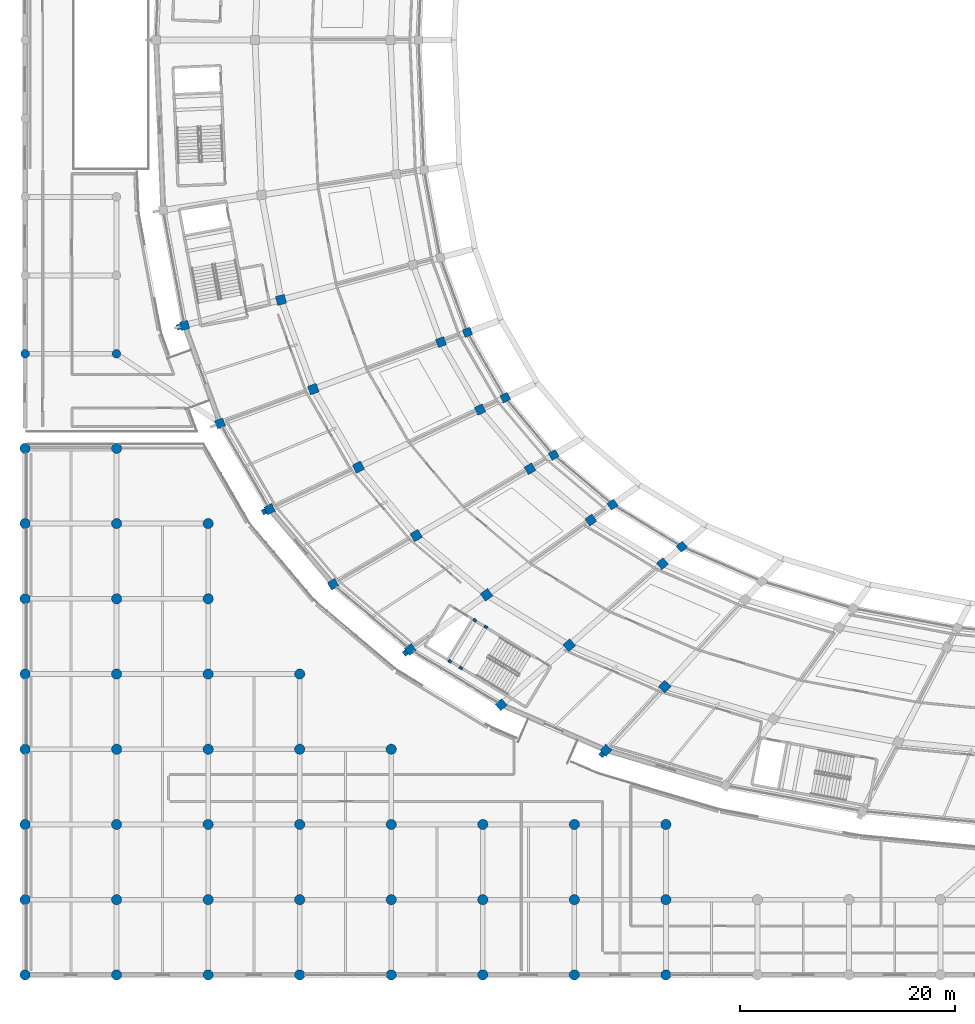
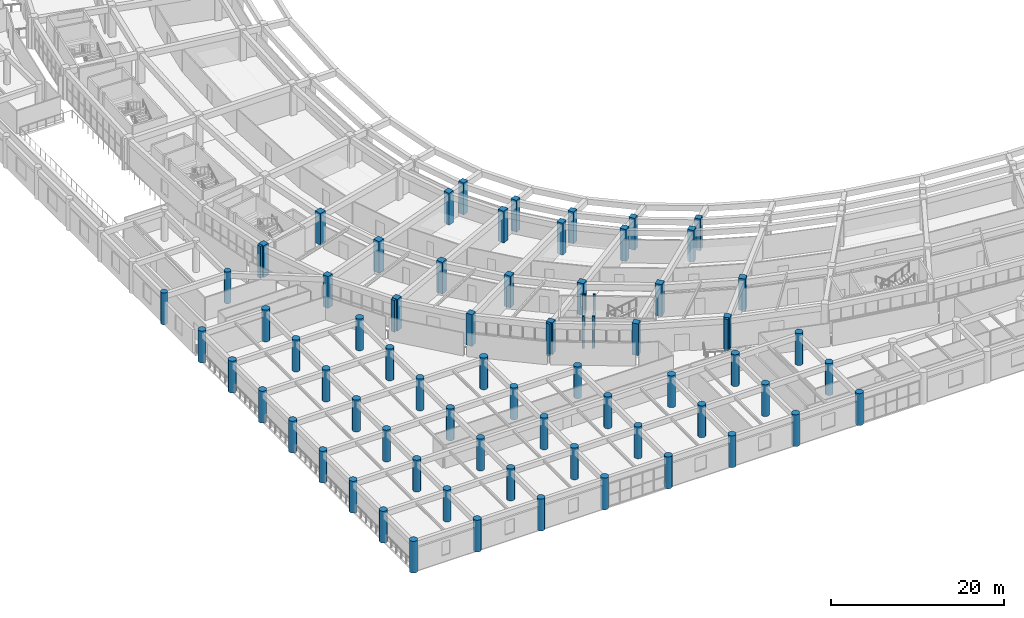
# One storey, part 1 of 145: 75 columns.
"""IFC4 building model written with IfcOpenShell, lengths in metres."""

from ifc_helpers import new_model, si_unit, direction, frame, origin, origin_2d, place, context, subcontext, project, spatial, rectangle, circle, extrude, material, material_profile, profile_set, type_object, element, save


model = new_model("IFC4")

# Units and contexts
model_context = context("Model", 3, precision=1e-05, world=origin(), true_north=direction((0.0, 1.0)))
body_context = subcontext(model_context, "Body", "Model", "MODEL_VIEW")
ifc_project = project(units=[si_unit("LENGTHUNIT", "METRE"), si_unit("AREAUNIT", "SQUARE_METRE"), si_unit("VOLUMEUNIT", "CUBIC_METRE"), si_unit("PLANEANGLEUNIT", "RADIAN"), si_unit("MASSUNIT", "GRAM", prefix="KILO")], contexts=[model_context])

# Site, building, storey
site_placement = place(None, origin())
site = spatial("IfcSite", under=ifc_project, at=site_placement, CompositionType="ELEMENT")
building_placement = place(site_placement, origin())
building = spatial("IfcBuilding", under=site, at=building_placement, Name="Mphavela Belvedere Stadium", CompositionType="ELEMENT")
storey_placement = place(building_placement, frame((0.0, 0.0, 10.199951171875)))
storey = spatial("IfcBuildingStorey", under=building, at=storey_placement, Name="L02", CompositionType="ELEMENT", Elevation=10.199951171875)

# Columns
ifc_material_1 = material(Name="Concrete C40/50", Category="concrete")
ifc_material_profile_1 = material_profile(ifc_material_1, rectangle(XDim=0.300048828125, YDim=0.219970703125, at=origin_2d()), Name="RC 300x220")
ifc_profile_set_1 = profile_set([ifc_material_profile_1], Name="Concrete C40/50")
column_type_1 = type_object("IfcColumnType", Name="COL-CORE-POST-300", PredefinedType="COLUMN", material=ifc_profile_set_1)
for number, where, z_axis, x_axis, name in (
    (1, (42.879150390625, 32.381591796875, 0.0), (0.0, 0.0, 1.0), (-0.854368143929, 0.519668235165, 0.0), "Core C10 stair frame column L02-1"),
    (2, (41.85400390625, 33.005126953125, 0.0), (0.0, 0.0, 1.0), (-0.854368143929, 0.519668235165, 0.0), "Core C10 stair frame column L02-2"),
    (3, (39.531005859375, 29.18603515625, 0.0), (0.0, 0.0, 1.0), (-0.854368143929, 0.519668235165, 0.0), "Core C10 stair frame column L02-3"),
    (4, (40.55615234375, 28.5625, 0.0), (0.0, 0.0, 1.0), (-0.854368143929, 0.519668235165, 0.0), "Core C10 stair frame column L02-4"),
):
    element("IfcColumn", number, at=place(storey_placement, frame(where, z_axis=z_axis, x_axis=x_axis)), inside=storey, type_object=column_type_1, Name=name, PredefinedType="COLUMN", context=body_context, shape_type="SweptSolid", body=[
        extrude(rectangle(XDim=0.300048828125, YDim=0.219970703125, at=origin_2d()), origin(), (0.0, 0.0, 1.0), 4.5),
    ])
ifc_material_2 = material(Name="Concrete C40/50", Category="concrete")
ifc_material_profile_2 = material_profile(ifc_material_2, circle(Radius=0.47509765625, at=origin_2d()), Name="COL D950")
ifc_profile_set_2 = profile_set([ifc_material_profile_2], Name="Concrete C40/50")
column_type_2 = type_object("IfcColumnType", Name="COL-DORIC-950", PredefinedType="COLUMN", material=ifc_profile_set_2)
for number, where, z_axis, x_axis, name in (
    (5, (0.0, 0.0, 0.0), (0.0, 0.0, 1.0), (1.0, 0.0, 0.0), "South Axial Triumphal Peristyle Portico classical column L02 1-1"),
    (6, (0.0, 7.0, 0.0), (0.0, 0.0, 1.0), (1.0, 0.0, 0.0), "South Axial Triumphal Peristyle Portico classical column L02 1-2"),
    (7, (0.0, 14.0, 0.0), (0.0, 0.0, 1.0), (1.0, 0.0, 0.0), "South Axial Triumphal Peristyle Portico classical column L02 1-3"),
    (8, (0.0, 21.0, 0.0), (0.0, 0.0, 1.0), (1.0, 0.0, 0.0), "South Axial Triumphal Peristyle Portico classical column L02 1-4"),
    (9, (0.0, 28.0, 0.0), (0.0, 0.0, 1.0), (1.0, 0.0, 0.0), "South Axial Triumphal Peristyle Portico classical column L02 1-5"),
    (10, (0.0, 35.0, 0.0), (0.0, 0.0, 1.0), (1.0, 0.0, 0.0), "South Axial Triumphal Peristyle Portico classical column L02 1-6"),
    (11, (0.0, 42.0, 0.0), (0.0, 0.0, 1.0), (1.0, 0.0, 0.0), "South Axial Triumphal Peristyle Portico classical column L02 1-7"),
    (12, (0.0, 49.0, 0.0), (0.0, 0.0, 1.0), (1.0, 0.0, 0.0), "South Axial Triumphal Peristyle Portico classical column L02 1-8"),
    (13, (8.51904296875, 0.0, 0.0), (0.0, 0.0, 1.0), (1.0, 0.0, 0.0), "South Axial Triumphal Peristyle Portico classical column L02 2-1"),
    (14, (8.51904296875, 7.0, 0.0), (0.0, 0.0, 1.0), (1.0, 0.0, 0.0), "South Axial Triumphal Peristyle Portico classical column L02 2-2"),
    (15, (8.51904296875, 14.0, 0.0), (0.0, 0.0, 1.0), (1.0, 0.0, 0.0), "South Axial Triumphal Peristyle Portico classical column L02 2-3"),
    (16, (8.51904296875, 21.0, 0.0), (0.0, 0.0, 1.0), (1.0, 0.0, 0.0), "South Axial Triumphal Peristyle Portico classical column L02 2-4"),
    (17, (8.51904296875, 28.0, 0.0), (0.0, 0.0, 1.0), (1.0, 0.0, 0.0), "South Axial Triumphal Peristyle Portico classical column L02 2-5"),
    (18, (8.51904296875, 35.0, 0.0), (0.0, 0.0, 1.0), (1.0, 0.0, 0.0), "South Axial Triumphal Peristyle Portico classical column L02 2-6"),
    (19, (8.51904296875, 42.0, 0.0), (0.0, 0.0, 1.0), (1.0, 0.0, 0.0), "South Axial Triumphal Peristyle Portico classical column L02 2-7"),
    (20, (8.51904296875, 49.0, 0.0), (0.0, 0.0, 1.0), (1.0, 0.0, 0.0), "South Axial Triumphal Peristyle Portico classical column L02 2-8"),
    (21, (17.037109375, 0.0, 0.0), (0.0, 0.0, 1.0), (1.0, 0.0, 0.0), "South Axial Triumphal Peristyle Portico classical column L02 3-1"),
    (22, (17.037109375, 7.0, 0.0), (0.0, 0.0, 1.0), (1.0, 0.0, 0.0), "South Axial Triumphal Peristyle Portico classical column L02 3-2"),
    (23, (17.037109375, 14.0, 0.0), (0.0, 0.0, 1.0), (1.0, 0.0, 0.0), "South Axial Triumphal Peristyle Portico classical column L02 3-3"),
    (24, (17.037109375, 21.0, 0.0), (0.0, 0.0, 1.0), (1.0, 0.0, 0.0), "South Axial Triumphal Peristyle Portico classical column L02 3-4"),
    (25, (17.037109375, 28.0, 0.0), (0.0, 0.0, 1.0), (1.0, 0.0, 0.0), "South Axial Triumphal Peristyle Portico classical column L02 3-5"),
    (26, (17.037109375, 35.0, 0.0), (0.0, 0.0, 1.0), (1.0, 0.0, 0.0), "South Axial Triumphal Peristyle Portico classical column L02 3-6"),
    (27, (17.037109375, 42.0, 0.0), (0.0, 0.0, 1.0), (1.0, 0.0, 0.0), "South Axial Triumphal Peristyle Portico classical column L02 3-7"),
    (28, (25.555908203125, 0.0, 0.0), (0.0, 0.0, 1.0), (1.0, 0.0, 0.0), "South Axial Triumphal Peristyle Portico classical column L02 4-1"),
    (29, (25.555908203125, 7.0, 0.0), (0.0, 0.0, 1.0), (1.0, 0.0, 0.0), "South Axial Triumphal Peristyle Portico classical column L02 4-2"),
    (30, (25.555908203125, 14.0, 0.0), (0.0, 0.0, 1.0), (1.0, 0.0, 0.0), "South Axial Triumphal Peristyle Portico classical column L02 4-3"),
    (31, (25.555908203125, 21.0, 0.0), (0.0, 0.0, 1.0), (1.0, 0.0, 0.0), "South Axial Triumphal Peristyle Portico classical column L02 4-4"),
    (32, (25.555908203125, 28.0, 0.0), (0.0, 0.0, 1.0), (1.0, 0.0, 0.0), "South Axial Triumphal Peristyle Portico classical column L02 4-5"),
    (33, (34.073974609375, 0.0, 0.0), (0.0, 0.0, 1.0), (1.0, 0.0, 0.0), "South Axial Triumphal Peristyle Portico classical column L02 5-1"),
    (34, (34.073974609375, 7.0, 0.0), (0.0, 0.0, 1.0), (1.0, 0.0, 0.0), "South Axial Triumphal Peristyle Portico classical column L02 5-2"),
    (35, (34.073974609375, 14.0, 0.0), (0.0, 0.0, 1.0), (1.0, 0.0, 0.0), "South Axial Triumphal Peristyle Portico classical column L02 5-3"),
    (36, (34.073974609375, 21.0, 0.0), (0.0, 0.0, 1.0), (1.0, 0.0, 0.0), "South Axial Triumphal Peristyle Portico classical column L02 5-4"),
    (37, (42.593017578125, 0.0, 0.0), (0.0, 0.0, 1.0), (1.0, 0.0, 0.0), "South Axial Triumphal Peristyle Portico classical column L02 6-1"),
    (38, (42.593017578125, 7.0, 0.0), (0.0, 0.0, 1.0), (1.0, 0.0, 0.0), "South Axial Triumphal Peristyle Portico classical column L02 6-2"),
    (39, (42.593017578125, 14.0, 0.0), (0.0, 0.0, 1.0), (1.0, 0.0, 0.0), "South Axial Triumphal Peristyle Portico classical column L02 6-3"),
    (40, (51.111083984375, 0.0, 0.0), (0.0, 0.0, 1.0), (1.0, 0.0, 0.0), "South Axial Triumphal Peristyle Portico classical column L02 7-1"),
    (41, (51.111083984375, 7.0, 0.0), (0.0, 0.0, 1.0), (1.0, 0.0, 0.0), "South Axial Triumphal Peristyle Portico classical column L02 7-2"),
    (42, (51.111083984375, 14.0, 0.0), (0.0, 0.0, 1.0), (1.0, 0.0, 0.0), "South Axial Triumphal Peristyle Portico classical column L02 7-3"),
    (43, (59.6298828125, 0.0, 0.0), (0.0, 0.0, 1.0), (1.0, 0.0, 0.0), "South Axial Triumphal Peristyle Portico classical column L02 8-1"),
    (44, (59.6298828125, 7.0, 0.0), (0.0, 0.0, 1.0), (1.0, 0.0, 0.0), "South Axial Triumphal Peristyle Portico classical column L02 8-2"),
    (45, (59.6298828125, 14.0, 0.0), (0.0, 0.0, 1.0), (1.0, 0.0, 0.0), "South Axial Triumphal Peristyle Portico classical column L02 8-3"),
):
    element("IfcColumn", number, at=place(storey_placement, frame(where, z_axis=z_axis, x_axis=x_axis)), inside=storey, type_object=column_type_2, Name=name, PredefinedType="COLUMN", context=body_context, shape_type="SweptSolid", body=[
        extrude(circle(Radius=0.47509765625, at=origin_2d()), origin(), (0.0, 0.0, 1.0), 4.5),
    ])
ifc_material_3 = material(Name="Concrete C40/50", Category="concrete")
ifc_material_profile_3 = material_profile(ifc_material_3, circle(Radius=0.39990234375, at=origin_2d()), Name="COL D800")
ifc_profile_set_3 = profile_set([ifc_material_profile_3], Name="Concrete C40/50")
column_type_3 = type_object("IfcColumnType", Name="COL-PERISTYLE-800", PredefinedType="COLUMN", material=ifc_profile_set_3)
for number, where, z_axis, x_axis, name in (
    (46, (0.0, 57.800048828125, 0.0), (0.0, 0.0, 1.0), (1.0, 0.0, 0.0), "West Planted Eaves Peristyle Colonnade classical column L02 1-2"),
    (47, (8.5, 57.800048828125, 0.0), (0.0, 0.0, 1.0), (1.0, 0.0, 0.0), "West Planted Eaves Peristyle Colonnade classical column L02 2-2"),
):
    element("IfcColumn", number, at=place(storey_placement, frame(where, z_axis=z_axis, x_axis=x_axis)), inside=storey, type_object=column_type_3, Name=name, PredefinedType="COLUMN", context=body_context, shape_type="SweptSolid", body=[
        extrude(circle(Radius=0.39990234375, at=origin_2d()), origin(), (0.0, 0.0, 1.0), 4.5),
    ])
ifc_material_4 = material(Name="Concrete C40/50", Category="concrete")
ifc_material_profile_4 = material_profile(ifc_material_4, rectangle(XDim=0.75, YDim=0.75, at=origin_2d()), Name="RC 750x750")
ifc_profile_set_4 = profile_set([ifc_material_profile_4], Name="Concrete C40/50")
column_type_4 = type_object("IfcColumnType", Name="COL-RC750", PredefinedType="COLUMN", material=ifc_profile_set_4)
for number, where, z_axis, x_axis, name in (
    (48, (41.170166015625, 59.80078125, 0.0), (0.0, 0.0, 1.0), (-0.938372433776, -0.34562577382, 0.0), "Inner concourse column L02 R1-28"),
    (49, (44.68701171875, 53.718505859375, 0.0), (0.0, 0.0, 1.0), (-0.903858661687, -0.4278311813, 0.0), "Inner concourse column L02 R1-29"),
    (50, (49.1875, 48.388671875, 0.0), (0.0, 0.0, 1.0), (-0.862513669207, -0.506033764121, 0.0), "Inner concourse column L02 R1-30"),
    (51, (54.66259765625, 43.7685546875, 0.0), (0.0, 0.0, 1.0), (-0.812897512265, -0.582406760395, 0.0), "Inner concourse column L02 R1-31"),
    (52, (61.11083984375, 39.845703125, 0.0), (0.0, 0.0, 1.0), (-0.752529860433, -0.658558128912, 0.0), "Inner concourse column L02 R1-32"),
):
    element("IfcColumn", number, at=place(storey_placement, frame(where, z_axis=z_axis, x_axis=x_axis)), inside=storey, type_object=column_type_4, Name=name, PredefinedType="COLUMN", context=body_context, shape_type="SweptSolid", body=[
        extrude(rectangle(XDim=0.75, YDim=0.75, at=origin_2d()), origin(), (0.0, 0.0, 1.0), 4.5),
    ])
ifc_material_5 = material(Name="Concrete C40/50", Category="concrete")
ifc_material_profile_5 = material_profile(ifc_material_5, rectangle(XDim=0.800048828125, YDim=0.800048828125, at=origin_2d()), Name="RC 800x800")
ifc_profile_set_5 = profile_set([ifc_material_profile_5], Name="Concrete C40/50")
column_type_5 = type_object("IfcColumnType", Name="COL-RC800", PredefinedType="COLUMN", material=ifc_profile_set_5)
for number, where, z_axis, x_axis, name in (
    (53, (14.83544921875, 60.4375, 0.0), (0.0, 0.0, 1.0), (-0.966600102017, -0.256289373133, 0.0), "Outer colonnade column L02 R4-27"),
    (54, (38.702880859375, 58.891845703125, 0.0), (0.0, 0.0, 1.0), (-0.938372433776, -0.34562577382, 0.0), "Middle concourse column L02 R2-28"),
    (55, (18.143798828125, 51.317626953125, 0.0), (0.0, 0.0, 1.0), (-0.938372433776, -0.34562577382, 0.0), "Outer colonnade column L02 R4-28"),
    (56, (42.33740234375, 52.606201171875, 0.0), (0.0, 0.0, 1.0), (-0.903858661687, -0.4278311813, 0.0), "Middle concourse column L02 R2-29"),
    (57, (22.757568359375, 43.33837890625, 0.0), (0.0, 0.0, 1.0), (-0.903858661687, -0.4278311813, 0.0), "Outer colonnade column L02 R4-29"),
    (58, (46.98828125, 47.098388671875, 0.0), (0.0, 0.0, 1.0), (-0.862513669207, -0.506033764121, 0.0), "Middle concourse column L02 R2-30"),
    (59, (28.66162109375, 36.346435546875, 0.0), (0.0, 0.0, 1.0), (-0.862513669207, -0.506033764121, 0.0), "Outer colonnade column L02 R4-30"),
    (60, (52.646240234375, 42.323974609375, 0.0), (0.0, 0.0, 1.0), (-0.812897512265, -0.582406760395, 0.0), "Middle concourse column L02 R2-31"),
    (61, (35.844482421875, 30.285400390625, 0.0), (0.0, 0.0, 1.0), (-0.812897512265, -0.582406760395, 0.0), "Outer colonnade column L02 R4-31"),
    (62, (59.31005859375, 38.27001953125, 0.0), (0.0, 0.0, 1.0), (-0.752529860433, -0.658558128912, 0.0), "Middle concourse column L02 R2-32"),
    (63, (44.3037109375, 25.13916015625, 0.0), (0.0, 0.0, 1.0), (-0.752529860433, -0.658558128912, 0.0), "Outer colonnade column L02 R4-32"),
    (64, (54.0625, 20.90869140625, 0.0), (0.0, 0.0, 1.0), (-0.677903094969, -0.735151272753, 0.0), "Outer colonnade column L02 R4-33"),
):
    element("IfcColumn", number, at=place(storey_placement, frame(where, z_axis=z_axis, x_axis=x_axis)), inside=storey, type_object=column_type_5, Name=name, PredefinedType="COLUMN", context=body_context, shape_type="SweptSolid", body=[
        extrude(rectangle(XDim=0.800048828125, YDim=0.800048828125, at=origin_2d()), origin(), (0.0, 0.0, 1.0), 4.5),
    ])
ifc_material_6 = material(Name="Concrete C40/50", Category="concrete")
ifc_material_profile_6 = material_profile(ifc_material_6, rectangle(XDim=0.85009765625, YDim=0.85009765625, at=origin_2d()), Name="RC 850x850")
ifc_profile_set_6 = profile_set([ifc_material_profile_6], Name="Concrete C40/50")
column_type_6 = type_object("IfcColumnType", Name="COL-RC850", PredefinedType="COLUMN", material=ifc_profile_set_6)
for number, where, z_axis, x_axis, name in (
    (65, (23.8125, 62.818115234375, 0.0), (0.0, 0.0, 1.0), (-0.966600102017, -0.256289373133, 0.0), "Main bowl column L02 R3-27"),
    (66, (26.824462890625, 54.515625, 0.0), (0.0, 0.0, 1.0), (-0.938372433776, -0.34562577382, 0.0), "Main bowl column L02 R3-28"),
    (67, (31.0244140625, 47.251708984375, 0.0), (0.0, 0.0, 1.0), (-0.903858661687, -0.4278311813, 0.0), "Main bowl column L02 R3-29"),
    (68, (36.399658203125, 40.88623046875, 0.0), (0.0, 0.0, 1.0), (-0.862513669207, -0.506033764121, 0.0), "Main bowl column L02 R3-30"),
    (69, (42.938720703125, 35.368408203125, 0.0), (0.0, 0.0, 1.0), (-0.812897512265, -0.582406760395, 0.0), "Main bowl column L02 R3-31"),
    (70, (50.639892578125, 30.68310546875, 0.0), (0.0, 0.0, 1.0), (-0.752529860433, -0.658558128912, 0.0), "Main bowl column L02 R3-32"),
    (71, (59.523681640625, 26.83203125, 0.0), (0.0, 0.0, 1.0), (-0.677903094969, -0.735151272753, 0.0), "Main bowl column L02 R3-33"),
):
    element("IfcColumn", number, at=place(storey_placement, frame(where, z_axis=z_axis, x_axis=x_axis)), inside=storey, type_object=column_type_6, Name=name, PredefinedType="COLUMN", context=body_context, shape_type="SweptSolid", body=[
        extrude(rectangle(XDim=0.85009765625, YDim=0.85009765625, at=origin_2d()), origin(), (0.0, 0.0, 1.0), 4.5),
    ])
ifc_material_7 = material(Name="Concrete C40/50", Category="concrete")
ifc_material_profile_7 = material_profile(ifc_material_7, rectangle(XDim=0.5, YDim=0.35009765625, at=origin_2d()), Name="PIL 500x350")
ifc_profile_set_7 = profile_set([ifc_material_profile_7], Name="Concrete C40/50")
column_type_7 = type_object("IfcColumnType", Name="PIL-FLUTED-500", PredefinedType="PILASTER", material=ifc_profile_set_7)
for number, where, z_axis, x_axis, name in (
    (72, (14.276611328125, 60.289306640625, 0.0), (0.0, 0.0, 1.0), (0.256289373133, -0.966600102017, 0.0), "Fluted classical pilaster L02-27"),
    (73, (22.235107421875, 43.09130859375, 0.0), (0.0, 0.0, 1.0), (0.4278311813, -0.903858661687, 0.0), "Fluted classical pilaster L02-29"),
    (74, (35.37451171875, 29.948974609375, 0.0), (0.0, 0.0, 1.0), (0.582406760395, -0.812897512265, 0.0), "Fluted classical pilaster L02-31"),
    (75, (53.670654296875, 20.48388671875, 0.0), (0.0, 0.0, 1.0), (0.735151272753, -0.677903094969, 0.0), "Fluted classical pilaster L02-33"),
):
    element("IfcColumn", number, at=place(storey_placement, frame(where, z_axis=z_axis, x_axis=x_axis)), inside=storey, type_object=column_type_7, Name=name, PredefinedType="PILASTER", context=body_context, shape_type="SweptSolid", body=[
        extrude(rectangle(XDim=0.5, YDim=0.35009765625, at=origin_2d()), origin(), (0.0, 0.0, 1.0), 4.5),
    ])

save(model, "model.ifc")
